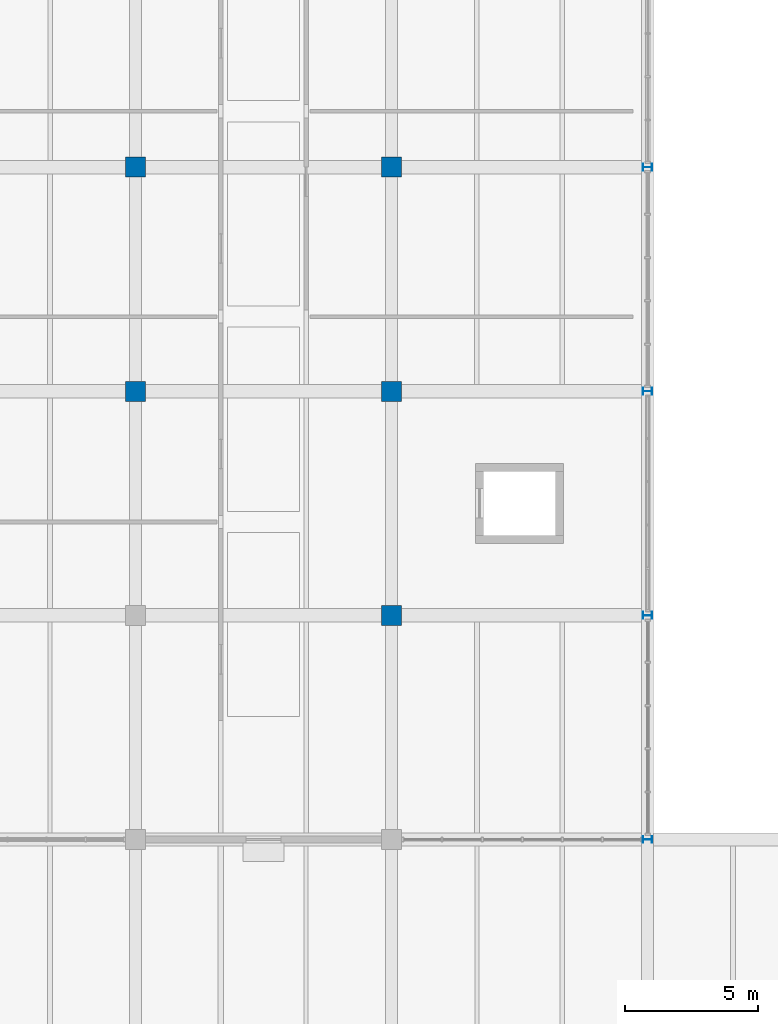
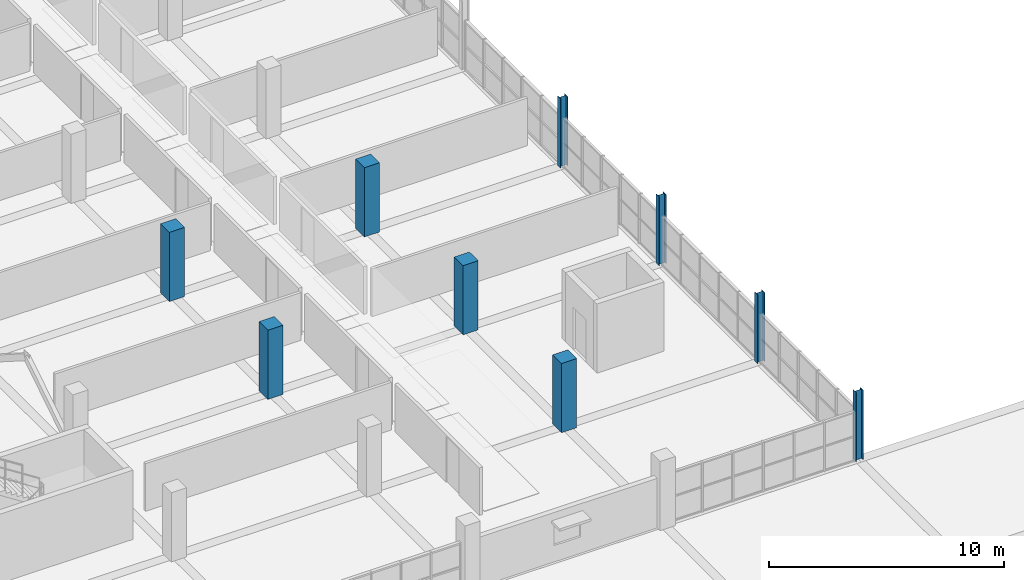
# One storey, part 2 of 147: 9 columns.
"""IFC4 building model written with IfcOpenShell, lengths in metres."""

from ifc_helpers import new_model, si_unit, direction, frame, origin, origin_2d, place, context, subcontext, project, spatial, rectangle, i_section, extrude, material, material_profile, profile_set, type_object, element, save


model = new_model("IFC4")

# Units and contexts
model_context = context("Model", 3, precision=1e-05, world=origin(), true_north=direction((0.0, 1.0)))
body_context = subcontext(model_context, "Body", "Model", "MODEL_VIEW")
ifc_project = project(units=[si_unit("LENGTHUNIT", "METRE"), si_unit("AREAUNIT", "SQUARE_METRE"), si_unit("VOLUMEUNIT", "CUBIC_METRE"), si_unit("PLANEANGLEUNIT", "RADIAN"), si_unit("MASSUNIT", "GRAM", prefix="KILO")], contexts=[model_context])

# Site, building, storey
site_placement = place(None, origin())
site = spatial("IfcSite", under=ifc_project, at=site_placement, CompositionType="ELEMENT")
building_placement = place(site_placement, origin())
building = spatial("IfcBuilding", under=site, at=building_placement, Name="Oolite Switchyard Hospital", CompositionType="ELEMENT")
storey_placement = place(building_placement, frame((0.0, 0.0, 9.89990234375)))
storey = spatial("IfcBuildingStorey", under=building, at=storey_placement, Name="L02", CompositionType="ELEMENT", Elevation=9.89990234375)

# Columns
ifc_material_1 = material(Name="Concrete C50/60", Category="concrete")
ifc_material_profile_1 = material_profile(ifc_material_1, rectangle(XDim=0.75, YDim=0.75, at=origin_2d()), Name="RC750X750")
ifc_profile_set_1 = profile_set([ifc_material_profile_1], Name="Concrete C50/60")
column_type_1 = type_object("IfcColumnType", Name="COL-RC750", PredefinedType="COLUMN", material=ifc_profile_set_1)
for number, where, z_axis, x_axis, name in (
    (1, (38.39990234375, 50.39990234375, 0.0), (0.0, 0.0, 1.0), (1.0, 0.0, 0.0), "L02 Column 698"),
    (2, (38.39990234375, 58.800048828125, 0.0), (0.0, 0.0, 1.0), (1.0, 0.0, 0.0), "L02 Column 699"),
    (3, (48.0, 42.0, 0.0), (0.0, 0.0, 1.0), (1.0, 0.0, 0.0), "L02 Column 710"),
    (4, (48.0, 50.39990234375, 0.0), (0.0, 0.0, 1.0), (1.0, 0.0, 0.0), "L02 Column 711"),
    (5, (48.0, 58.800048828125, 0.0), (0.0, 0.0, 1.0), (1.0, 0.0, 0.0), "L02 Column 712"),
):
    element("IfcColumn", number, at=place(storey_placement, frame(where, z_axis=z_axis, x_axis=x_axis)), inside=storey, type_object=column_type_1, Name=name, PredefinedType="COLUMN", context=body_context, shape_type="SweptSolid", body=[
        extrude(rectangle(XDim=0.75, YDim=0.75, at=origin_2d()), origin(), (0.0, 0.0, 1.0), 3.60009765625),
    ])
ifc_material_2 = material(Name="Steel ASTM A992 Grade 50", Category="steel")
ifc_material_profile_2 = material_profile(ifc_material_2, i_section(OverallWidth=0.25390625, OverallDepth=0.35595703125, WebThickness=0.010986328125, FlangeThickness=0.01806640625, at=origin_2d()), Name="W14X68")
ifc_profile_set_2 = profile_set([ifc_material_profile_2], Name="Steel ASTM A992 Grade 50")
column_type_2 = type_object("IfcColumnType", Name="COL-STL14X68", PredefinedType="COLUMN", material=ifc_profile_set_2)
for number, where, z_axis, x_axis, name in (
    (6, (57.60009765625, 33.60009765625, 0.0), (0.0, 0.0, 1.0), (0.0, -1.0, 0.0), "L02 Column 722"),
    (7, (57.60009765625, 42.0, 0.0), (0.0, 0.0, 1.0), (0.0, -1.0, 0.0), "L02 Column 723"),
    (8, (57.60009765625, 50.39990234375, 0.0), (0.0, 0.0, 1.0), (0.0, -1.0, 0.0), "L02 Column 724"),
    (9, (57.60009765625, 58.800048828125, 0.0), (0.0, 0.0, 1.0), (0.0, -1.0, 0.0), "L02 Column 725"),
):
    element("IfcColumn", number, at=place(storey_placement, frame(where, z_axis=z_axis, x_axis=x_axis)), inside=storey, type_object=column_type_2, Name=name, PredefinedType="COLUMN", context=body_context, shape_type="SweptSolid", body=[
        extrude(i_section(OverallWidth=0.25390625, OverallDepth=0.35595703125, WebThickness=0.010986328125, FlangeThickness=0.01806640625, at=origin_2d()), origin(), (0.0, 0.0, 1.0), 3.60009765625),
    ])

save(model, "model.ifc")
